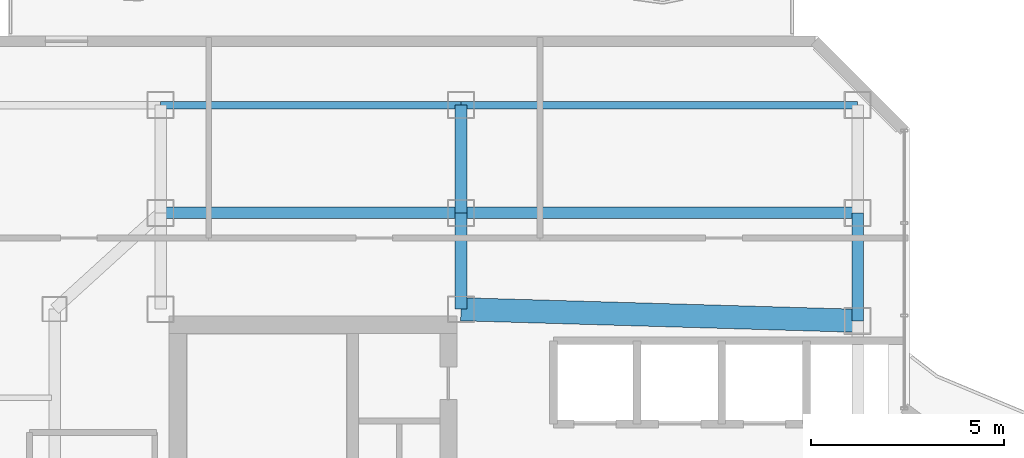
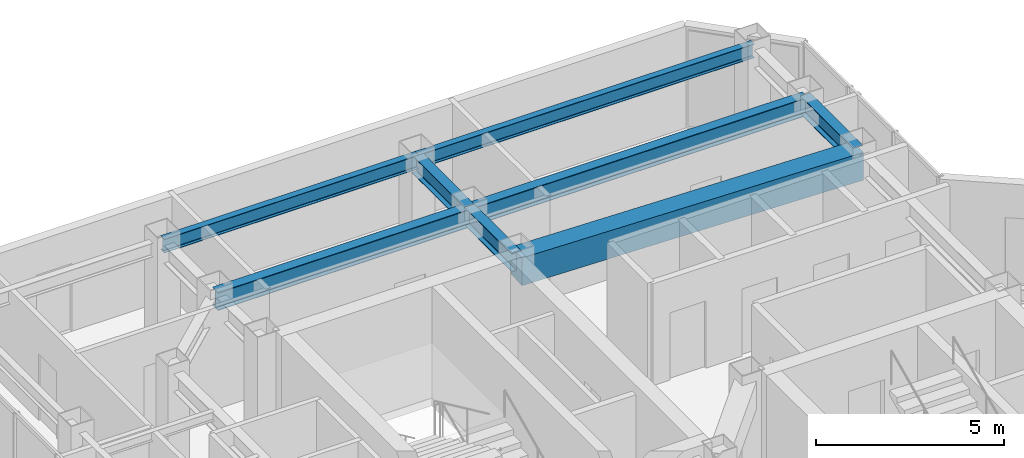
# One storey, part 16 of 25: 8 beams.
"""IFC4 building model written with IfcOpenShell, lengths in metres."""

from ifc_helpers import new_model, si_unit, direction, frame, origin, origin_2d, place, context, subcontext, project, spatial, rectangle, i_section, extrude, material, material_profile, profile_set, type_object, element, save


model = new_model("IFC4")

# Units and contexts
model_context = context("Model", 3, precision=1e-05, world=origin(), true_north=direction((0.0, 1.0)))
body_context = subcontext(model_context, "Body", "Model", "MODEL_VIEW")
ifc_project = project(units=[si_unit("LENGTHUNIT", "METRE"), si_unit("AREAUNIT", "SQUARE_METRE"), si_unit("VOLUMEUNIT", "CUBIC_METRE"), si_unit("PLANEANGLEUNIT", "RADIAN"), si_unit("MASSUNIT", "GRAM", prefix="KILO")], contexts=[model_context])

# Site, building, storey
site_placement = place(None, origin())
site = spatial("IfcSite", under=ifc_project, at=site_placement, CompositionType="ELEMENT")
building_placement = place(site_placement, origin())
building = spatial("IfcBuilding", under=site, at=building_placement, Name="Hatsunagi Terrace Concourse", CompositionType="ELEMENT")
storey_placement = place(building_placement, frame((0.0, 0.0, 231.14990234375)))
storey = spatial("IfcBuildingStorey", under=building, at=storey_placement, Name="L61", CompositionType="ELEMENT", Elevation=231.14990234375)

# Beams
ifc_material_1 = material(Name="Concrete Fc42", Category="concrete")
ifc_material_profile_1 = material_profile(ifc_material_1, rectangle(XDim=0.60009765625, YDim=0.89990234375, at=origin_2d()), Name="RC-600x900")
ifc_profile_set_1 = profile_set([ifc_material_profile_1], Name="Concrete Fc42")
beam_type_1 = type_object("IfcBeamType", Name="CoreCouplingBeam_RC_600x900", PredefinedType="BEAM", material=ifc_profile_set_1)
beam_1_placement = place(storey_placement, frame((33.35009765625, 43.300048828125, 2.85009765625), z_axis=(0.999575947545, -0.029119153303, 0.0), x_axis=(0.029119153303, 0.999575947545, 0.0)))
element("IfcBeam", 1, at=beam_1_placement, inside=storey, type_object=beam_type_1, Name="Beam CB-03 CB-L61-2", PredefinedType="BEAM", context=body_context, shape_type="SweptSolid", body=[
    extrude(rectangle(XDim=0.60009765625, YDim=0.89990234375, at=origin_2d()), origin(), (0.0, 0.0, 1.0), 10.30419921875),
])
ifc_material_2 = material(Name="Steel SN490B", Category="steel")
ifc_material_profile_2 = material_profile(ifc_material_2, i_section(OverallWidth=0.300048828125, OverallDepth=0.587890625, WebThickness=0.011962890625, FlangeThickness=0.02001953125, FilletRadius=0.01806640625, at=origin_2d()), Name="H-588x300x12x20")
ifc_profile_set_2 = profile_set([ifc_material_profile_2], Name="Steel SN490B")
beam_type_2 = type_object("IfcBeamType", Name="OfficeHighGirder_H_588x300", PredefinedType="BEAM", material=ifc_profile_set_2)
beam_2_placement = place(storey_placement, frame((33.35009765625, 43.300048828125, 3.006103515625), z_axis=(0.0, 1.0, 0.0), x_axis=(-1.0, 0.0, 0.0)))
element("IfcBeam", 2, at=beam_2_placement, inside=storey, type_object=beam_type_2, Name="Beam G-06 BM-L61-CN2", PredefinedType="BEAM", context=body_context, shape_type="SweptSolid", body=[
    extrude(i_section(OverallWidth=0.300048828125, OverallDepth=0.587890625, WebThickness=0.011962890625, FlangeThickness=0.02001953125, FilletRadius=0.01806640625, at=origin_2d()), origin(), (0.0, 0.0, 1.0), 2.5),
])
beam_3_placement = place(storey_placement, frame((43.64990234375, 43.0, 3.006103515625), z_axis=(0.0, 1.0, 0.0), x_axis=(-1.0, 0.0, 0.0)))
element("IfcBeam", 3, at=beam_3_placement, inside=storey, type_object=beam_type_2, Name="Beam G-06 BM-L61-CN3", PredefinedType="BEAM", context=body_context, shape_type="SweptSolid", body=[
    extrude(i_section(OverallWidth=0.300048828125, OverallDepth=0.587890625, WebThickness=0.011962890625, FlangeThickness=0.02001953125, FilletRadius=0.01806640625, at=origin_2d()), origin(), (0.0, 0.0, 1.0), 2.800048828125),
])
beam_4_placement = place(storey_placement, frame((25.550048828125, 45.800048828125, 3.006103515625), z_axis=(1.0, 0.0, 0.0), x_axis=(0.0, 1.0, 0.0)))
element("IfcBeam", 4, at=beam_4_placement, inside=storey, type_object=beam_type_2, Name="Beam G-06 BM-L61-CNEW1", PredefinedType="BEAM", context=body_context, shape_type="SweptSolid", body=[
    extrude(i_section(OverallWidth=0.300048828125, OverallDepth=0.587890625, WebThickness=0.011962890625, FlangeThickness=0.02001953125, FilletRadius=0.01806640625, at=origin_2d()), origin(), (0.0, 0.0, 1.0), 7.800048828125),
])
beam_5_placement = place(storey_placement, frame((33.35009765625, 45.800048828125, 3.006103515625), z_axis=(1.0, 0.0, 0.0), x_axis=(0.0, 1.0, 0.0)))
element("IfcBeam", 5, at=beam_5_placement, inside=storey, type_object=beam_type_2, Name="Beam G-06 BM-L61-CNEW2", PredefinedType="BEAM", context=body_context, shape_type="SweptSolid", body=[
    extrude(i_section(OverallWidth=0.300048828125, OverallDepth=0.587890625, WebThickness=0.011962890625, FlangeThickness=0.02001953125, FilletRadius=0.01806640625, at=origin_2d()), origin(), (0.0, 0.0, 1.0), 10.2998046875),
])
beam_6_placement = place(storey_placement, frame((33.35009765625, 45.800048828125, 3.006103515625), z_axis=(0.0, 1.0, 0.0), x_axis=(-1.0, 0.0, 0.0)))
element("IfcBeam", 6, at=beam_6_placement, inside=storey, type_object=beam_type_2, Name="Beam G-06 BM-L61-KN-WN5", PredefinedType="BEAM", context=body_context, shape_type="SweptSolid", body=[
    extrude(i_section(OverallWidth=0.300048828125, OverallDepth=0.587890625, WebThickness=0.011962890625, FlangeThickness=0.02001953125, FilletRadius=0.01806640625, at=origin_2d()), origin(), (0.0, 0.0, 1.0), 2.800048828125),
])
ifc_material_3 = material(Name="Steel SN490B", Category="steel")
ifc_material_profile_3 = material_profile(ifc_material_3, i_section(OverallWidth=0.199951171875, OverallDepth=0.449951171875, WebThickness=0.009033203125, FlangeThickness=0.013916015625, FilletRadius=0.01611328125, at=origin_2d()), Name="H-450x200x9x14")
ifc_profile_set_3 = profile_set([ifc_material_profile_3], Name="Steel SN490B")
beam_type_3 = type_object("IfcBeamType", Name="PerimeterSpandrel_H_450x200", PredefinedType="SPANDREL", material=ifc_profile_set_3)
beam_7_placement = place(storey_placement, frame((25.550048828125, 48.60009765625, 3.0751953125), z_axis=(1.0, 0.0, 0.0), x_axis=(0.0, 1.0, 0.0)))
element("IfcBeam", 7, at=beam_7_placement, inside=storey, type_object=beam_type_3, Name="Beam SP-02 BM-L61-WN-25", PredefinedType="SPANDREL", context=body_context, shape_type="SweptSolid", body=[
    extrude(i_section(OverallWidth=0.199951171875, OverallDepth=0.449951171875, WebThickness=0.009033203125, FlangeThickness=0.013916015625, FilletRadius=0.01611328125, at=origin_2d()), origin(), (0.0, 0.0, 1.0), 7.800048828125),
])
beam_8_placement = place(storey_placement, frame((33.35009765625, 48.60009765625, 3.0751953125), z_axis=(1.0, 0.0, 0.0), x_axis=(0.0, 1.0, 0.0)))
element("IfcBeam", 8, at=beam_8_placement, inside=storey, type_object=beam_type_3, Name="Beam SP-02 BM-L61-WN-33", PredefinedType="SPANDREL", context=body_context, shape_type="SweptSolid", body=[
    extrude(i_section(OverallWidth=0.199951171875, OverallDepth=0.449951171875, WebThickness=0.009033203125, FlangeThickness=0.013916015625, FilletRadius=0.01611328125, at=origin_2d()), origin(), (0.0, 0.0, 1.0), 10.2998046875),
])

save(model, "model.ifc")
